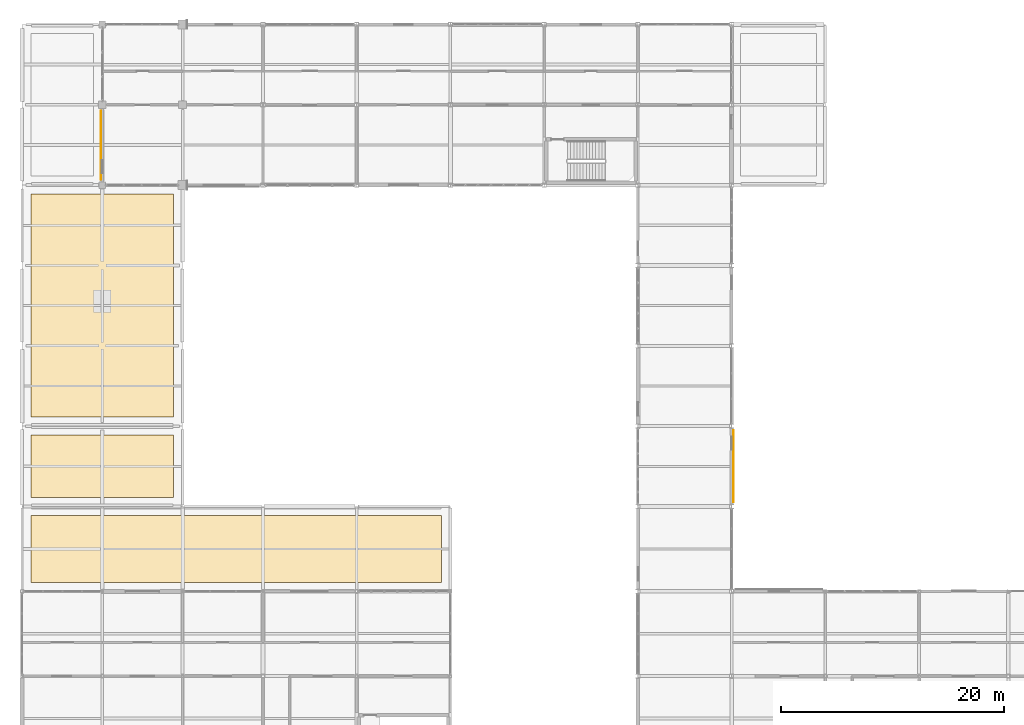
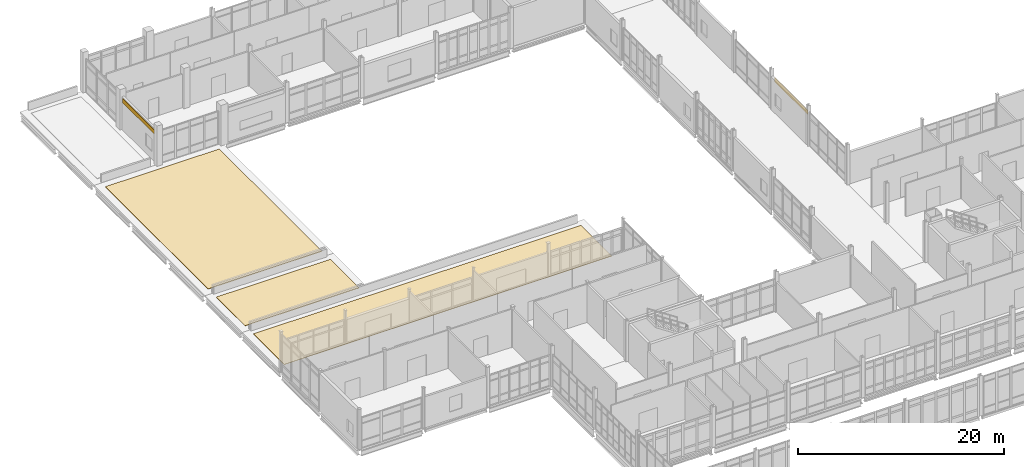
# One storey, part 177 of 186: 5 coverings.
"""IFC4 building model written with IfcOpenShell, lengths in metres."""

from ifc_helpers import new_model, si_unit, direction, frame, origin, origin_2d, place, context, subcontext, project, spatial, polyline, rectangle, outline, extrude, material, layer, layer_set, type_object, element, save


model = new_model("IFC4")

# Units and contexts
model_context = context("Model", 3, precision=1e-05, world=origin(), true_north=direction((0.0, 1.0)))
body_context = subcontext(model_context, "Body", "Model", "MODEL_VIEW")
ifc_project = project(units=[si_unit("LENGTHUNIT", "METRE"), si_unit("AREAUNIT", "SQUARE_METRE"), si_unit("VOLUMEUNIT", "CUBIC_METRE"), si_unit("PLANEANGLEUNIT", "RADIAN"), si_unit("MASSUNIT", "GRAM", prefix="KILO")], contexts=[model_context])

# Site, building, storey
site_placement = place(None, origin())
site = spatial("IfcSite", under=ifc_project, at=site_placement, CompositionType="ELEMENT")
building_placement = place(site_placement, origin())
building = spatial("IfcBuilding", under=site, at=building_placement, Name="Calvrana Isthmian Art Gallery", CompositionType="ELEMENT")
storey_placement = place(building_placement, frame((0.0, 0.0, 5.39990234375)))
storey = spatial("IfcBuildingStorey", under=building, at=storey_placement, Name="L01", CompositionType="ELEMENT", Elevation=5.39990234375)

# Coverings
ifc_material_1 = material(Name="Polychrome glazed terracotta", Category="masonry")
ifc_layer_1 = layer(ifc_material_1, 0.0400390625, Name="Polychrome glazed terracotta")
ifc_layer_set_1 = layer_set([ifc_layer_1], Name="Polychrome glazed terracotta")
covering_type_1 = type_object("IfcCoveringType", Name="COV-CLAD-TERRA", PredefinedType="CLADDING", material=ifc_layer_set_1)
covering_1_placement = place(storey_placement, frame((7.072021484375, 101.97509765625, 3.31298828125), z_axis=(0.0, 0.0, 1.0), x_axis=(0.0, 1.0, 0.0)))
element("IfcCovering", 1, at=covering_1_placement, inside=storey, type_object=covering_type_1, Name="Terracotta spandrel cladding 090", PredefinedType="CLADDING", context=body_context, shape_type="SweptSolid", body=[
    extrude(rectangle(XDim=6.14990234375, YDim=0.0400390625, at=origin_2d()), origin(), (0.0, 0.0, 1.0), 0.5),
])
covering_2_placement = place(storey_placement, frame((63.76806640625, 73.204345703125, 3.30810546875), z_axis=(0.0, 0.0, 1.0), x_axis=(0.0, -1.0, 0.0)))
element("IfcCovering", 2, at=covering_2_placement, inside=storey, type_object=covering_type_1, Name="Terracotta spandrel cladding 095", PredefinedType="CLADDING", context=body_context, shape_type="SweptSolid", body=[
    extrude(rectangle(XDim=6.435546875, YDim=0.0400390625, at=origin_2d()), origin(), (0.0, 0.0, 1.0), 0.5),
])
ifc_material_2 = material(Name="Standing-seam zinc-aluminium roofing", Category="aluminium")
ifc_layer_2 = layer(ifc_material_2, 0.050048828125, Name="Standing-seam zinc-aluminium roofing")
ifc_layer_set_2 = layer_set([ifc_layer_2], Name="Standing-seam zinc-aluminium roofing")
covering_type_2 = type_object("IfcCoveringType", Name="COV-ROOF-ZINC", PredefinedType="ROOFING", material=ifc_layer_set_2)
covering_3_placement = place(storey_placement, origin())
element("IfcCovering", 3, at=covering_3_placement, inside=storey, type_object=covering_type_2, Name="Insulated roof membrane ROOF_V3M_L01", PredefinedType="ROOFING", context=body_context, shape_type="SweptSolid", body=[
    extrude(outline(polyline([(0.800048828125, 62.800048828125), (37.60009765625, 62.800048828125), (37.60009765625, 68.800048828125), (0.800048828125, 68.800048828125), (0.800048828125, 62.800048828125)])), origin(), (0.0, 0.0, 1.0), 0.050048828125),
])
covering_4_placement = place(storey_placement, origin())
element("IfcCovering", 4, at=covering_4_placement, inside=storey, type_object=covering_type_2, Name="Insulated roof membrane ROOF_V3N_L01", PredefinedType="ROOFING", context=body_context, shape_type="SweptSolid", body=[
    extrude(outline(polyline([(0.800048828125, 70.39990234375), (13.60009765625, 70.39990234375), (13.60009765625, 76.0), (0.800048828125, 76.0), (0.800048828125, 70.39990234375)])), origin(), (0.0, 0.0, 1.0), 0.050048828125),
])
covering_5_placement = place(storey_placement, origin())
element("IfcCovering", 5, at=covering_5_placement, inside=storey, type_object=covering_type_2, Name="Insulated roof membrane ROOF_V6W_L01", PredefinedType="ROOFING", context=body_context, shape_type="SweptSolid", body=[
    extrude(outline(polyline([(0.800048828125, 77.60009765625), (13.60009765625, 77.60009765625), (13.60009765625, 97.60009765625), (0.800048828125, 97.60009765625), (0.800048828125, 77.60009765625)])), origin(), (0.0, 0.0, 1.0), 0.050048828125),
])

save(model, "model.ifc")
